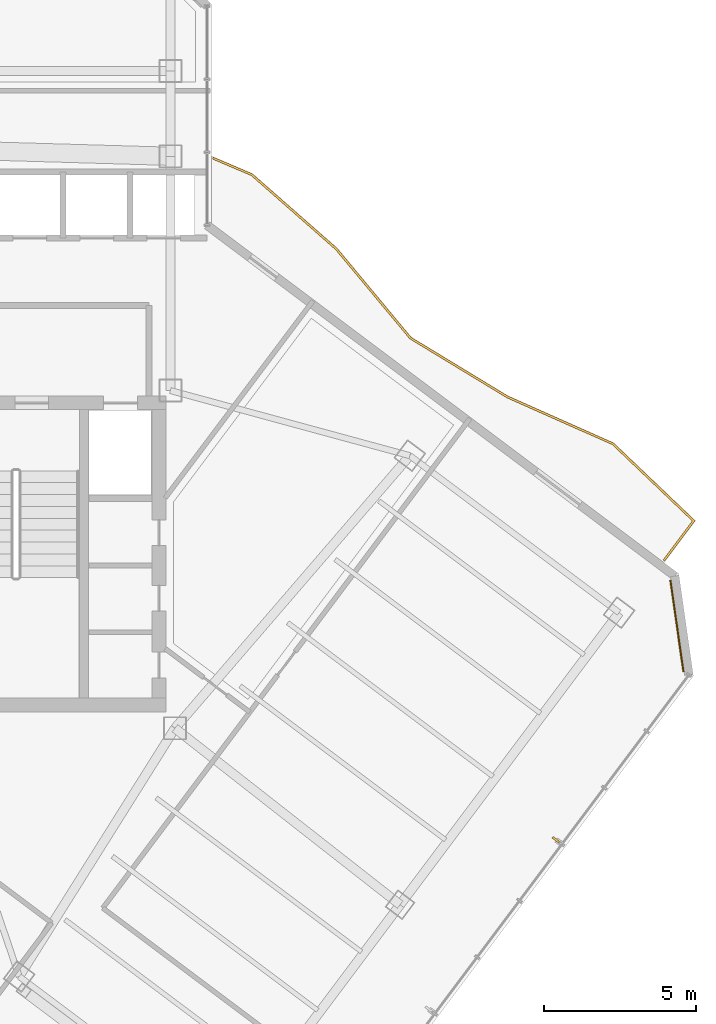
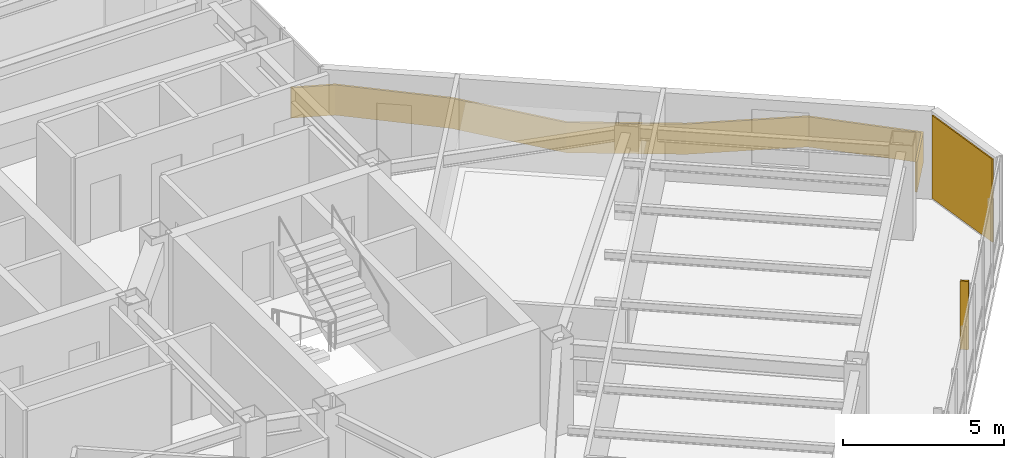
# One storey, part 24 of 25: 1 covering, 1 railing, 1 shading device.
"""IFC4 building model written with IfcOpenShell, lengths in metres."""

import ifcopenshell
import ifcopenshell.guid

model = None  # the IFC model being written
_history = None  # IfcOwnerHistory: only IFC2X3 demands one
_inside = {}  # id of a spatial element -> (the spatial element, [elements in it])
_under = {}  # id of a project, library or spatial element -> (it, [spatial elements below it])
_declared = {}  # id of a project -> (the project, [libraries it declares])
_typed = {}  # id of a type object -> (the type object, [elements of that type])
_made_of = {}  # id of a material, layer set ... -> (it, [elements and type objects made of it])


def new_model(schema):
    """Start an empty IFC model of exactly this schema.

    Asked for "IFC4X3", IfcOpenShell would pick the latest addendum, in which some entities
    have other attributes; the version numbers below select the first issue.
    IFC2X3 requires an IfcOwnerHistory on every rooted entity: one is made here for all.
    """
    global model, _history
    if schema == "IFC4X3":
        model = ifcopenshell.file(schema_version=(4, 3, 0, 0))
    else:
        model = ifcopenshell.file(schema=schema)
    _inside.clear()
    _under.clear()
    _declared.clear()
    _typed.clear()
    _made_of.clear()
    _history = None
    if model.schema == "IFC2X3":
        org = make("IfcOrganization", Name="unknown")
        user = make(
            "IfcPersonAndOrganization",
            ThePerson=make("IfcPerson", FamilyName="unknown"),
            TheOrganization=org,
        )
        app = make(
            "IfcApplication",
            ApplicationDeveloper=org,
            Version="unknown",
            ApplicationFullName="unknown",
            ApplicationIdentifier="unknown",
        )
        _history = make(
            "IfcOwnerHistory",
            OwningUser=user,
            OwningApplication=app,
            ChangeAction="ADDED",
            CreationDate=0,
        )
    return model


def make(cls, **values):
    """One entity of the class cls with the attributes given. An attribute that is None is left unset."""
    return model.create_entity(
        cls, **{name: value for name, value in values.items() if value is not None}
    )


def rooted(cls, **values):
    """An entity with a GlobalId (a new one), such as an element, a storey or a relation."""
    return make(cls, GlobalId=ifcopenshell.guid.new(), OwnerHistory=_history, **values)


def si_unit(unit_type, name, prefix=None):
    """IfcSIUnit, for example si_unit("LENGTHUNIT", "METRE", prefix="MILLI")."""
    return make("IfcSIUnit", UnitType=unit_type, Prefix=prefix, Name=name)


def assignment(units):
    """IfcUnitAssignment: the units of a project."""
    return None if units is None else make("IfcUnitAssignment", Units=units)


def point(xyz):
    """IfcCartesianPoint."""
    return None if xyz is None else make("IfcCartesianPoint", Coordinates=xyz)


def direction(xyz):
    """IfcDirection."""
    return None if xyz is None else make("IfcDirection", DirectionRatios=xyz)


def frame(location, z_axis=None, x_axis=None):
    """IfcAxis2Placement3D, a coordinate frame: its origin and axes. An axis left out is left unset."""
    return make(
        "IfcAxis2Placement3D",
        Location=point(location),
        Axis=direction(z_axis),
        RefDirection=direction(x_axis),
    )


def frame_2d(location, x_axis=None):
    """IfcAxis2Placement2D, a coordinate frame in the plane: its origin and x axis."""
    return make(
        "IfcAxis2Placement2D", Location=point(location), RefDirection=direction(x_axis)
    )


def origin():
    """The frame at (0, 0, 0) with its axes left unset."""
    return frame((0.0, 0.0, 0.0))


def origin_2d():
    """The frame at (0, 0) in the plane with its x axis left unset."""
    return frame_2d((0.0, 0.0))


def place(relative_to, where):
    """IfcLocalPlacement: puts the frame where relative to a parent placement (None: the world)."""
    return make(
        "IfcLocalPlacement", PlacementRelTo=relative_to, RelativePlacement=where
    )


def context(
    kind, dimensions, precision=None, world=None, true_north=None, identifier=None
):
    """IfcGeometricRepresentationContext, for example the 3D "Model" context."""
    return make(
        "IfcGeometricRepresentationContext",
        ContextIdentifier=identifier,
        ContextType=kind,
        CoordinateSpaceDimension=dimensions,
        Precision=precision,
        WorldCoordinateSystem=world,
        TrueNorth=true_north,
    )


def subcontext(parent, identifier, kind, view, scale=None):
    """IfcGeometricRepresentationSubContext, for example "Body" below "Model"."""
    return make(
        "IfcGeometricRepresentationSubContext",
        ContextIdentifier=identifier,
        ContextType=kind,
        ParentContext=parent,
        TargetScale=scale,
        TargetView=view,
    )


def project(units=None, contexts=None):
    """IfcProject with its units and contexts."""
    return rooted(
        "IfcProject",
        Name="project",
        RepresentationContexts=contexts,
        UnitsInContext=assignment(units),
    )


def spatial(cls, under=None, at=None, **own):
    """A site, building, storey or space (cls), placed at a placement, below another one or the project."""
    s = rooted(cls, ObjectPlacement=at, **own)
    if under is not None:
        _under.setdefault(under.id(), (under, []))[1].append(s)
    return s


def polyline(points):
    """IfcPolyline through the points."""
    return make("IfcPolyline", Points=[point(p) for p in points])


def profile(cls, at=None, kind="AREA", **sizes):
    """A parametric profile (cls). Its sizes go by their IFC names, for example OverallWidth=200.0."""
    return make(cls, ProfileType=kind, Position=at, **sizes)


def rectangle(**sizes):
    """IfcRectangleProfileDef."""
    return profile("IfcRectangleProfileDef", **sizes)


def outline(outer, holes=None, kind="AREA"):
    """IfcArbitraryClosedProfileDef: a profile drawn as a closed curve; with holes, ...WithVoids."""
    if holes is None:
        return make("IfcArbitraryClosedProfileDef", ProfileType=kind, OuterCurve=outer)
    return make(
        "IfcArbitraryProfileDefWithVoids",
        ProfileType=kind,
        OuterCurve=outer,
        InnerCurves=holes,
    )


def extrude(swept, where, along, depth):
    """IfcExtrudedAreaSolid: the profile swept, set in the frame where, extruded along a direction by depth."""
    return make(
        "IfcExtrudedAreaSolid",
        SweptArea=swept,
        Position=where,
        ExtrudedDirection=direction(along),
        Depth=depth,
    )


def shape(context_of_items, identifier, shape_type, items):
    """IfcShapeRepresentation: the items that make up one representation, for example the "Body"."""
    return make(
        "IfcShapeRepresentation",
        ContextOfItems=context_of_items,
        RepresentationIdentifier=identifier,
        RepresentationType=shape_type,
        Items=items,
    )


def material(Name=None, Category=None):
    """IfcMaterial."""
    return make("IfcMaterial", Name=Name, Category=Category)


def layer(
    of_material, thickness, ventilated=None, Name=None, Category=None, Priority=None
):
    """IfcMaterialLayer: one layer of a wall or slab, of a material (None: an air gap)."""
    return make(
        "IfcMaterialLayer",
        Material=of_material,
        LayerThickness=thickness,
        IsVentilated=ventilated,
        Name=Name,
        Category=Category,
        Priority=Priority,
    )


def layer_set(layers, Name=None):
    """IfcMaterialLayerSet."""
    return make("IfcMaterialLayerSet", MaterialLayers=layers, LayerSetName=Name)


def made_of(thing, what):
    """Note that an element or type object is made of a material, layer set ...; save() writes the relation."""
    if what is not None:
        _made_of.setdefault(what.id(), (what, []))[1].append(thing)
    return thing


def type_object(cls, material=None, **own):
    """A type object (cls), such as IfcWallType, which elements share."""
    return made_of(rooted(cls, **own), material)


def element(
    cls,
    number,
    at=None,
    inside=None,
    cuts=None,
    type_object=None,
    material=None,
    context=None,
    identifier="Body",
    shape_type=None,
    held_by="IfcProductDefinitionShape",
    body=None,
    shapes=None,
    **own,
):
    """One element of the class cls, such as IfcWall. Its Tag is "e" and its number.

    at: its placement. inside: the storey or other place that contains it. cuts: it is an
    opening in that element (IfcRelVoidsElement). A single representation is given by context,
    identifier, shape_type and body (its items); several are given by shapes. held_by: the class
    of the entity that holds the representations. save() writes the other relations.
    """
    e = rooted(cls, Tag="e%d" % number, ObjectPlacement=at, **own)
    if body is not None:
        shapes = [shape(context, identifier, shape_type, body)]
    if shapes is not None:
        e.Representation = make(held_by, Representations=shapes)
    if inside is not None:
        _inside.setdefault(inside.id(), (inside, []))[1].append(e)
    if cuts is not None:
        rooted(
            "IfcRelVoidsElement", RelatingBuildingElement=cuts, RelatedOpeningElement=e
        )
    if type_object is not None:
        _typed.setdefault(type_object.id(), (type_object, []))[1].append(e)
    return made_of(e, material)


def aggregate(whole, parts):
    """IfcRelAggregates: a whole, such as a stair, and the parts it consists of."""
    return rooted("IfcRelAggregates", RelatingObject=whole, RelatedObjects=parts)


def save(model, path):
    """Write the relations noted so far, then the file.

    IfcRelAggregates (storeys below a building ...), IfcRelContainedInSpatialStructure (elements
    in a storey), IfcRelDefinesByType, IfcRelAssociatesMaterial and IfcRelDeclares: one each for
    every whole, place, type object, material and project.
    """
    for whole, parts in _under.values():
        aggregate(whole, parts)
    for where, things in _inside.values():
        rooted(
            "IfcRelContainedInSpatialStructure",
            RelatedElements=things,
            RelatingStructure=where,
        )
    for kind, things in _typed.values():
        rooted("IfcRelDefinesByType", RelatedObjects=things, RelatingType=kind)
    for what, things in _made_of.values():
        rooted("IfcRelAssociatesMaterial", RelatedObjects=things, RelatingMaterial=what)
    for by, libraries in _declared.values():
        rooted("IfcRelDeclares", RelatingContext=by, RelatedDefinitions=libraries)
    model.write(path)


model = new_model("IFC4")

# Units and contexts
model_context = context("Model", 3, precision=1e-05, world=origin(), true_north=direction((0.0, 1.0)))
body_context = subcontext(model_context, "Body", "Model", "MODEL_VIEW")
ifc_project = project(units=[si_unit("LENGTHUNIT", "METRE"), si_unit("AREAUNIT", "SQUARE_METRE"), si_unit("VOLUMEUNIT", "CUBIC_METRE"), si_unit("PLANEANGLEUNIT", "RADIAN"), si_unit("MASSUNIT", "GRAM", prefix="KILO")], contexts=[model_context])

# Site, building, storey
site_placement = place(None, origin())
site = spatial("IfcSite", under=ifc_project, at=site_placement, CompositionType="ELEMENT")
building_placement = place(site_placement, origin())
building = spatial("IfcBuilding", under=site, at=building_placement, Name="Hatsunagi Terrace Concourse", CompositionType="ELEMENT")
storey_placement = place(building_placement, frame((0.0, 0.0, 205.949951171875)))
storey = spatial("IfcBuildingStorey", under=building, at=storey_placement, Name="L54", CompositionType="ELEMENT", Elevation=205.949951171875)

# Railing
ifc_material_1 = material(Name="Laminated Glass and Stainless Steel Guard", Category="steel")
ifc_layer_1 = layer(ifc_material_1, 0.070068359375)
ifc_layer_set_1 = layer_set([ifc_layer_1], Name="BalconyGlassGuardRail_1150")
railing_type = type_object("IfcRailingType", Name="BalconyGlassGuardRail_1150", PredefinedType="BALUSTRADE", material=ifc_layer_set_1)
railing_placement = place(storey_placement, origin())
element("IfcRailing", 1, at=railing_placement, inside=storey, type_object=railing_type, Name="Engawa Balcony Guard GRD-01 L54-BSE-1", PredefinedType="BALUSTRADE", context=body_context, shape_type="SweptSolid", body=[
    extrude(outline(polyline([(45.059814453125, 42.97216796875), (45.0322265625, 42.90771484375), (46.30712890625, 42.364013671875), (49.079833984375, 39.928466796875), (51.515869140625, 36.998046875), (54.710693359375, 35.058837890625), (58.172119140625, 33.521484375), (60.80322265625, 31.01318359375), (59.842041015625, 29.73095703125), (59.89794921875, 29.68896484375), (60.896728515625, 31.02099609375), (58.2119140625, 33.58056640625), (54.7431640625, 35.12109375), (51.562255859375, 37.052001953125), (49.130126953125, 39.9775390625), (46.344970703125, 42.424072265625), (45.059814453125, 42.97216796875)])), origin(), (0.0, 0.0, 1.0), 1.150146484375),
])

# Shading device
ifc_material_2 = material(Name="Extruded Unglazed Terracotta Baguette", Category="masonry")
shading_device_type = type_object("IfcShadingDeviceType", Name="TerracottaFinScreen_260x70", PredefinedType="USERDEFINED", material=ifc_material_2)
shading_device_placement = place(storey_placement, frame((56.31591796875, 20.5390625, 0.85009765625), z_axis=(0.0, 0.0, 1.0), x_axis=(-0.599969314634, -0.800023013105, 0.0)))
element("IfcShadingDevice", 2, at=shading_device_placement, inside=storey, type_object=shading_device_type, Name="Terracotta Baguette Fin Screen SCR-01", ObjectType="SUNSHADE", PredefinedType="USERDEFINED", context=body_context, shape_type="SweptSolid", body=[
    extrude(rectangle(XDim=0.070068359375, YDim=0.260009765625, at=origin_2d()), origin(), (0.0, 0.0, 1.0), 2.60009765625),
])

# Covering
ifc_material_3 = material(Name="Unglazed Warm Terracotta Rainscreen Tile", Category="masonry")
ifc_layer_2 = layer(ifc_material_3, 0.044921875)
ifc_layer_set_2 = layer_set([ifc_layer_2], Name="TerracottaRainscreenCladding_45")
covering_type = type_object("IfcCoveringType", Name="TerracottaRainscreenCladding_45", PredefinedType="CLADDING", material=ifc_layer_set_2)
covering_placement = place(storey_placement, frame((60.301025390625, 27.55810546875, 0.10009765625), z_axis=(0.0, 0.0, 1.0), x_axis=(0.141250262458, -0.989973920543, 0.0)))
element("IfcCovering", 3, at=covering_placement, inside=storey, type_object=covering_type, Name="Terracotta Rainscreen Cladding L54-02", PredefinedType="CLADDING", context=body_context, shape_type="SweptSolid", body=[
    extrude(rectangle(XDim=3.0380859375, YDim=0.044921875, at=origin_2d()), origin(), (0.0, 0.0, 1.0), 3.14990234375),
])

save(model, "model.ifc")
